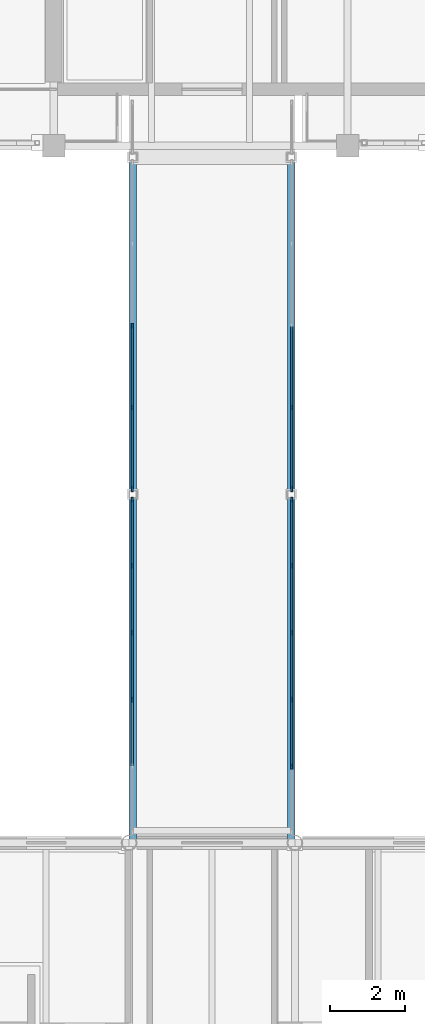
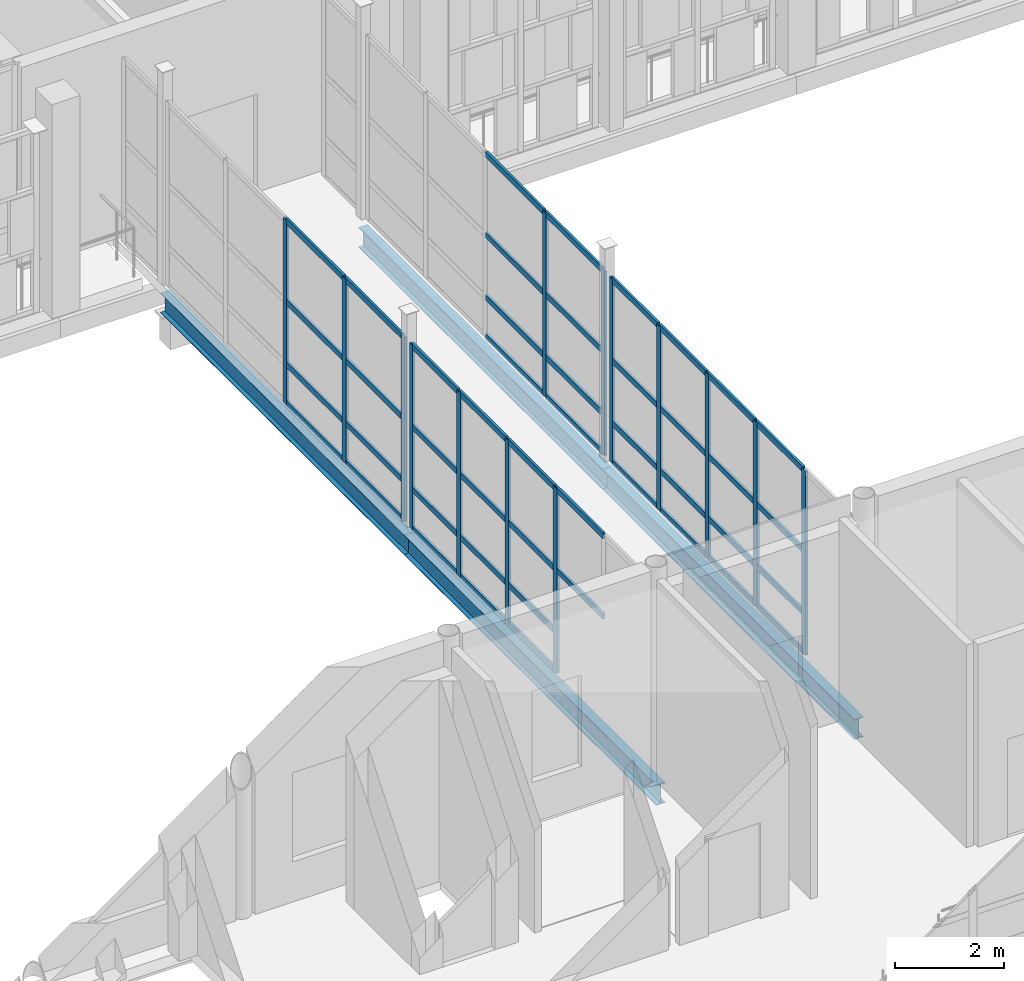
# One storey, part 49 of 138: 60 members, 4 beams, 4 elements without a shape of their own.
"""IFC4 building model written with IfcOpenShell, lengths in metres."""

from ifc_helpers import new_model, si_unit, direction, frame, origin, origin_2d, place, context, subcontext, project, spatial, rectangle, i_section, extrude, material, layer, layer_set, material_profile, profile_set, type_object, element, aggregate, save


model = new_model("IFC4")

# Units and contexts
model_context = context("Model", 3, precision=1e-05, world=origin(), true_north=direction((0.0, 1.0)))
body_context = subcontext(model_context, "Body", "Model", "MODEL_VIEW")
ifc_project = project(units=[si_unit("LENGTHUNIT", "METRE"), si_unit("AREAUNIT", "SQUARE_METRE"), si_unit("VOLUMEUNIT", "CUBIC_METRE"), si_unit("PLANEANGLEUNIT", "RADIAN"), si_unit("MASSUNIT", "GRAM", prefix="KILO")], contexts=[model_context])

# Site, building, storey
site_placement = place(None, origin())
site = spatial("IfcSite", under=ifc_project, at=site_placement, CompositionType="ELEMENT")
building_placement = place(site_placement, origin())
building = spatial("IfcBuilding", under=site, at=building_placement, Name="Celorna Specialist Clinic", CompositionType="ELEMENT")
storey_placement = place(building_placement, frame((0.0, 0.0, 4.800048828125)))
storey = spatial("IfcBuildingStorey", under=building, at=storey_placement, Name="L01", CompositionType="ELEMENT", Elevation=4.800048828125)

# Beams
ifc_material_1 = material(Name="Steel S355", Category="steel")
ifc_material_profile_1 = material_profile(ifc_material_1, i_section(OverallWidth=0.18994140625, OverallDepth=0.449951171875, WebThickness=0.009521484375, FlangeThickness=0.0146484375, at=origin_2d()), Name="IPE 450")
ifc_profile_set_1 = profile_set([ifc_material_profile_1], Name="Steel S355")
beam_type = type_object("IfcBeamType", Name="BM-09", PredefinedType="BEAM", material=ifc_profile_set_1)
beam_1_placement = place(storey_placement, frame((72.300048828125, 78.0, -0.445068359375), z_axis=(0.0, 1.0, 0.0), x_axis=(-1.0, 0.0, 0.0)))
element("IfcBeam", 1, at=beam_1_placement, inside=storey, type_object=beam_type, Name="Bridge BR-04 edge girder BM-09 #98", PredefinedType="BEAM", context=body_context, shape_type="SweptSolid", body=[
    extrude(i_section(OverallWidth=0.18994140625, OverallDepth=0.449951171875, WebThickness=0.009521484375, FlangeThickness=0.0146484375, at=origin_2d()), origin(), (0.0, 0.0, 1.0), 9.25),
])
beam_2_placement = place(storey_placement, frame((72.300048828125, 87.25, -0.445068359375), z_axis=(0.0, 1.0, 0.0), x_axis=(-1.0, 0.0, 0.0)))
element("IfcBeam", 2, at=beam_2_placement, inside=storey, type_object=beam_type, Name="Bridge BR-04 edge girder BM-09 #99", PredefinedType="BEAM", context=body_context, shape_type="SweptSolid", body=[
    extrude(i_section(OverallWidth=0.18994140625, OverallDepth=0.449951171875, WebThickness=0.009521484375, FlangeThickness=0.0146484375, at=origin_2d()), origin(), (0.0, 0.0, 1.0), 8.949951171875),
])
beam_3_placement = place(storey_placement, frame((76.5, 78.0, -0.445068359375), z_axis=(0.0, 1.0, 0.0), x_axis=(-1.0, 0.0, 0.0)))
element("IfcBeam", 3, at=beam_3_placement, inside=storey, type_object=beam_type, Name="Bridge BR-04 edge girder BM-09 #100", PredefinedType="BEAM", context=body_context, shape_type="SweptSolid", body=[
    extrude(i_section(OverallWidth=0.18994140625, OverallDepth=0.449951171875, WebThickness=0.009521484375, FlangeThickness=0.0146484375, at=origin_2d()), origin(), (0.0, 0.0, 1.0), 9.25),
])
beam_4_placement = place(storey_placement, frame((76.5, 87.25, -0.445068359375), z_axis=(0.0, 1.0, 0.0), x_axis=(-1.0, 0.0, 0.0)))
element("IfcBeam", 4, at=beam_4_placement, inside=storey, type_object=beam_type, Name="Bridge BR-04 edge girder BM-09 #101", PredefinedType="BEAM", context=body_context, shape_type="SweptSolid", body=[
    extrude(i_section(OverallWidth=0.18994140625, OverallDepth=0.449951171875, WebThickness=0.009521484375, FlangeThickness=0.0146484375, at=origin_2d()), origin(), (0.0, 0.0, 1.0), 8.949951171875),
])

# Curtain wall, members
ifc_material_2 = material(Name="Thermally broken aluminium and solar-control glass curtain wall", Category="aluminium")
ifc_layer_1 = layer(ifc_material_2, 0.159912109375, Name="Thermally broken aluminium and solar-control glass curtain wall")
ifc_layer_set_1 = layer_set([ifc_layer_1], Name="Thermally broken aluminium and solar-control glass curtain wall")
curtain_wall_type_1 = type_object("IfcCurtainWallType", Name="CW-113", PredefinedType="NOTDEFINED", material=ifc_layer_set_1)
curtain_wall_1_placement = place(storey_placement, origin())
curtain_wall_1 = element("IfcCurtainWall", 5, at=curtain_wall_1_placement, inside=storey, type_object=curtain_wall_type_1, Name="Curtain wall CW-113 #210", PredefinedType="NOTDEFINED")
ifc_material_3 = material(Name="Anodized aluminium mullion", Category="aluminium")
ifc_material_profile_2 = material_profile(ifc_material_3, rectangle(XDim=0.050048828125, YDim=0.139892578125, at=origin_2d()), Name="ALU MULLION 50x140")
ifc_profile_set_2 = profile_set([ifc_material_profile_2], Name="Anodized aluminium mullion")
member_type_1 = type_object("IfcMemberType", Name="ML-03", PredefinedType="MULLION", material=ifc_profile_set_2)
member_1_placement = place(storey_placement, frame((72.280029296875, 81.802001953125, 0.0), z_axis=(0.0, 0.0, 1.0), x_axis=(-1.0, 0.0, 0.0)))
member_1 = element("IfcMember", 6, at=member_1_placement, type_object=member_type_1, Name="CW-113 mullion 3", PredefinedType="MULLION", context=body_context, shape_type="SweptSolid", body=[
    extrude(rectangle(XDim=0.050048828125, YDim=0.139892578125, at=origin_2d()), origin(), (0.0, 0.0, 1.0), 4.1298828125),
])
member_2_placement = place(storey_placement, frame((72.280029296875, 83.577880859375, 0.0), z_axis=(0.0, 0.0, 1.0), x_axis=(-1.0, 0.0, 0.0)))
member_2 = element("IfcMember", 7, at=member_2_placement, type_object=member_type_1, Name="CW-113 mullion 4", PredefinedType="MULLION", context=body_context, shape_type="SweptSolid", body=[
    extrude(rectangle(XDim=0.050048828125, YDim=0.139892578125, at=origin_2d()), origin(), (0.0, 0.0, 1.0), 4.1298828125),
])
member_3_placement = place(storey_placement, frame((72.280029296875, 85.35400390625, 0.0), z_axis=(0.0, 0.0, 1.0), x_axis=(-1.0, 0.0, 0.0)))
member_3 = element("IfcMember", 8, at=member_3_placement, type_object=member_type_1, Name="CW-113 mullion 5", PredefinedType="MULLION", context=body_context, shape_type="SweptSolid", body=[
    extrude(rectangle(XDim=0.050048828125, YDim=0.139892578125, at=origin_2d()), origin(), (0.0, 0.0, 1.0), 4.1298828125),
])
member_4_placement = place(storey_placement, frame((72.280029296875, 87.10498046875, 0.0), z_axis=(0.0, 0.0, 1.0), x_axis=(-1.0, 0.0, 0.0)))
member_4 = element("IfcMember", 9, at=member_4_placement, type_object=member_type_1, Name="CW-113 mullion 6", PredefinedType="MULLION", context=body_context, shape_type="SweptSolid", body=[
    extrude(rectangle(XDim=0.050048828125, YDim=0.139892578125, at=origin_2d()), origin(), (0.0, 0.0, 1.0), 4.1298828125),
])

ifc_layer_2 = layer(ifc_material_2, 0.159912109375, Name="Thermally broken aluminium and solar-control glass curtain wall")
ifc_layer_set_2 = layer_set([ifc_layer_2], Name="Thermally broken aluminium and solar-control glass curtain wall")
curtain_wall_type_2 = type_object("IfcCurtainWallType", Name="CW-114", PredefinedType="NOTDEFINED", material=ifc_layer_set_2)
curtain_wall_2_placement = place(storey_placement, origin())
curtain_wall_2 = element("IfcCurtainWall", 10, at=curtain_wall_2_placement, inside=storey, type_object=curtain_wall_type_2, Name="Curtain wall CW-114 #211", PredefinedType="NOTDEFINED")
member_5_placement = place(storey_placement, frame((72.280029296875, 87.39501953125, 0.0), z_axis=(0.0, 0.0, 1.0), x_axis=(-1.0, 0.0, 0.0)))
member_5 = element("IfcMember", 11, at=member_5_placement, type_object=member_type_1, Name="CW-114 mullion 1", PredefinedType="MULLION", context=body_context, shape_type="SweptSolid", body=[
    extrude(rectangle(XDim=0.050048828125, YDim=0.139892578125, at=origin_2d()), origin(), (0.0, 0.0, 1.0), 4.1298828125),
])
member_6_placement = place(storey_placement, frame((72.280029296875, 89.547607421875, 0.0), z_axis=(0.0, 0.0, 1.0), x_axis=(-1.0, 0.0, 0.0)))
member_6 = element("IfcMember", 12, at=member_6_placement, type_object=member_type_1, Name="CW-114 mullion 2", PredefinedType="MULLION", context=body_context, shape_type="SweptSolid", body=[
    extrude(rectangle(XDim=0.050048828125, YDim=0.139892578125, at=origin_2d()), origin(), (0.0, 0.0, 1.0), 4.1298828125),
])
member_7_placement = place(storey_placement, frame((72.280029296875, 91.72509765625, 0.0), z_axis=(0.0, 0.0, 1.0), x_axis=(-1.0, 0.0, 0.0)))
member_7 = element("IfcMember", 13, at=member_7_placement, type_object=member_type_1, Name="CW-114 mullion 3", PredefinedType="MULLION", context=body_context, shape_type="SweptSolid", body=[
    extrude(rectangle(XDim=0.050048828125, YDim=0.139892578125, at=origin_2d()), origin(), (0.0, 0.0, 1.0), 4.1298828125),
])

curtain_wall_3_placement = place(storey_placement, origin())
curtain_wall_3 = element("IfcCurtainWall", 14, at=curtain_wall_3_placement, inside=storey, type_object=curtain_wall_type_2, Name="Curtain wall CW-114 #214", PredefinedType="NOTDEFINED")
member_8_placement = place(storey_placement, frame((76.52001953125, 89.547607421875, 0.0), z_axis=(0.0, 0.0, 1.0), x_axis=(1.0, 0.0, 0.0)))
member_8 = element("IfcMember", 15, at=member_8_placement, type_object=member_type_1, Name="CW-114 mullion 4", PredefinedType="MULLION", context=body_context, shape_type="SweptSolid", body=[
    extrude(rectangle(XDim=0.050048828125, YDim=0.139892578125, at=origin_2d()), origin(), (0.0, 0.0, 1.0), 4.1298828125),
])
member_9_placement = place(storey_placement, frame((76.52001953125, 87.39501953125, 0.0), z_axis=(0.0, 0.0, 1.0), x_axis=(1.0, 0.0, 0.0)))
member_9 = element("IfcMember", 16, at=member_9_placement, type_object=member_type_1, Name="CW-114 mullion 5", PredefinedType="MULLION", context=body_context, shape_type="SweptSolid", body=[
    extrude(rectangle(XDim=0.050048828125, YDim=0.139892578125, at=origin_2d()), origin(), (0.0, 0.0, 1.0), 4.1298828125),
])

curtain_wall_4_placement = place(storey_placement, origin())
curtain_wall_4 = element("IfcCurtainWall", 17, at=curtain_wall_4_placement, inside=storey, type_object=curtain_wall_type_1, Name="Curtain wall CW-113 #215", PredefinedType="NOTDEFINED")
member_10_placement = place(storey_placement, frame((76.52001953125, 87.10498046875, 0.0), z_axis=(0.0, 0.0, 1.0), x_axis=(1.0, 0.0, 0.0)))
member_10 = element("IfcMember", 18, at=member_10_placement, type_object=member_type_1, Name="CW-113 mullion 1", PredefinedType="MULLION", context=body_context, shape_type="SweptSolid", body=[
    extrude(rectangle(XDim=0.050048828125, YDim=0.139892578125, at=origin_2d()), origin(), (0.0, 0.0, 1.0), 4.1298828125),
])
member_11_placement = place(storey_placement, frame((76.52001953125, 85.35400390625, 0.0), z_axis=(0.0, 0.0, 1.0), x_axis=(1.0, 0.0, 0.0)))
member_11 = element("IfcMember", 19, at=member_11_placement, type_object=member_type_1, Name="CW-113 mullion 2", PredefinedType="MULLION", context=body_context, shape_type="SweptSolid", body=[
    extrude(rectangle(XDim=0.050048828125, YDim=0.139892578125, at=origin_2d()), origin(), (0.0, 0.0, 1.0), 4.1298828125),
])
member_12_placement = place(storey_placement, frame((76.52001953125, 83.577880859375, 0.0), z_axis=(0.0, 0.0, 1.0), x_axis=(1.0, 0.0, 0.0)))
member_12 = element("IfcMember", 20, at=member_12_placement, type_object=member_type_1, Name="CW-113 mullion 3", PredefinedType="MULLION", context=body_context, shape_type="SweptSolid", body=[
    extrude(rectangle(XDim=0.050048828125, YDim=0.139892578125, at=origin_2d()), origin(), (0.0, 0.0, 1.0), 4.1298828125),
])
member_13_placement = place(storey_placement, frame((76.52001953125, 81.802001953125, 0.0), z_axis=(0.0, 0.0, 1.0), x_axis=(1.0, 0.0, 0.0)))
member_13 = element("IfcMember", 21, at=member_13_placement, type_object=member_type_1, Name="CW-113 mullion 4", PredefinedType="MULLION", context=body_context, shape_type="SweptSolid", body=[
    extrude(rectangle(XDim=0.050048828125, YDim=0.139892578125, at=origin_2d()), origin(), (0.0, 0.0, 1.0), 4.1298828125),
])
member_14_placement = place(storey_placement, frame((76.52001953125, 80.02587890625, 0.0), z_axis=(0.0, 0.0, 1.0), x_axis=(1.0, 0.0, 0.0)))
member_14 = element("IfcMember", 22, at=member_14_placement, type_object=member_type_1, Name="CW-113 mullion 5", PredefinedType="MULLION", context=body_context, shape_type="SweptSolid", body=[
    extrude(rectangle(XDim=0.050048828125, YDim=0.139892578125, at=origin_2d()), origin(), (0.0, 0.0, 1.0), 4.1298828125),
])

# Member
ifc_material_4 = material(Name="Anodized aluminium transom", Category="aluminium")
ifc_material_profile_3 = material_profile(ifc_material_4, rectangle(XDim=0.050048828125, YDim=0.1298828125, at=origin_2d()), Name="ALU TRANSOM 50x130")
ifc_profile_set_3 = profile_set([ifc_material_profile_3], Name="Anodized aluminium transom")
member_type_2 = type_object("IfcMemberType", Name="TR-01", PredefinedType="USERDEFINED", material=ifc_profile_set_3)
member_15_placement = place(storey_placement, frame((72.280029296875, 80.051025390625, 2.300048828125), z_axis=(0.0, 1.0, 0.0), x_axis=(-1.0, 0.0, 0.0)))
member_15 = element("IfcMember", 23, at=member_15_placement, type_object=member_type_2, Name="CW-113 transom 2.3", ObjectType="TRANSOM", PredefinedType="USERDEFINED", context=body_context, shape_type="SweptSolid", body=[
    extrude(rectangle(XDim=0.050048828125, YDim=0.1298828125, at=origin_2d()), origin(), (0.0, 0.0, 1.0), 1.72607421875),
])

member_16_placement = place(storey_placement, frame((72.280029296875, 80.051025390625, 4.10498046875), z_axis=(0.0, 1.0, 0.0), x_axis=(-1.0, 0.0, 0.0)))
member_16 = element("IfcMember", 24, at=member_16_placement, type_object=member_type_2, Name="CW-113 transom 2.4", ObjectType="TRANSOM", PredefinedType="USERDEFINED", context=body_context, shape_type="SweptSolid", body=[
    extrude(rectangle(XDim=0.050048828125, YDim=0.1298828125, at=origin_2d()), origin(), (0.0, 0.0, 1.0), 1.72607421875),
])

member_17_placement = place(storey_placement, frame((72.280029296875, 81.826904296875, 0.02490234375), z_axis=(0.0, 1.0, 0.0), x_axis=(-1.0, 0.0, 0.0)))
member_17 = element("IfcMember", 25, at=member_17_placement, type_object=member_type_2, Name="CW-113 transom 3.1", ObjectType="TRANSOM", PredefinedType="USERDEFINED", context=body_context, shape_type="SweptSolid", body=[
    extrude(rectangle(XDim=0.050048828125, YDim=0.1298828125, at=origin_2d()), origin(), (0.0, 0.0, 1.0), 1.72607421875),
])

member_18_placement = place(storey_placement, frame((72.280029296875, 81.826904296875, 0.89990234375), z_axis=(0.0, 1.0, 0.0), x_axis=(-1.0, 0.0, 0.0)))
member_18 = element("IfcMember", 26, at=member_18_placement, type_object=member_type_2, Name="CW-113 transom 3.2", ObjectType="TRANSOM", PredefinedType="USERDEFINED", context=body_context, shape_type="SweptSolid", body=[
    extrude(rectangle(XDim=0.050048828125, YDim=0.1298828125, at=origin_2d()), origin(), (0.0, 0.0, 1.0), 1.72607421875),
])

member_19_placement = place(storey_placement, frame((72.280029296875, 81.826904296875, 2.300048828125), z_axis=(0.0, 1.0, 0.0), x_axis=(-1.0, 0.0, 0.0)))
member_19 = element("IfcMember", 27, at=member_19_placement, type_object=member_type_2, Name="CW-113 transom 3.3", ObjectType="TRANSOM", PredefinedType="USERDEFINED", context=body_context, shape_type="SweptSolid", body=[
    extrude(rectangle(XDim=0.050048828125, YDim=0.1298828125, at=origin_2d()), origin(), (0.0, 0.0, 1.0), 1.72607421875),
])

member_20_placement = place(storey_placement, frame((72.280029296875, 81.826904296875, 4.10498046875), z_axis=(0.0, 1.0, 0.0), x_axis=(-1.0, 0.0, 0.0)))
member_20 = element("IfcMember", 28, at=member_20_placement, type_object=member_type_2, Name="CW-113 transom 3.4", ObjectType="TRANSOM", PredefinedType="USERDEFINED", context=body_context, shape_type="SweptSolid", body=[
    extrude(rectangle(XDim=0.050048828125, YDim=0.1298828125, at=origin_2d()), origin(), (0.0, 0.0, 1.0), 1.72607421875),
])

member_21_placement = place(storey_placement, frame((72.280029296875, 83.60302734375, 0.02490234375), z_axis=(0.0, 1.0, 0.0), x_axis=(-1.0, 0.0, 0.0)))
member_21 = element("IfcMember", 29, at=member_21_placement, type_object=member_type_2, Name="CW-113 transom 4.1", ObjectType="TRANSOM", PredefinedType="USERDEFINED", context=body_context, shape_type="SweptSolid", body=[
    extrude(rectangle(XDim=0.050048828125, YDim=0.1298828125, at=origin_2d()), origin(), (0.0, 0.0, 1.0), 1.72607421875),
])

member_22_placement = place(storey_placement, frame((72.280029296875, 83.60302734375, 0.89990234375), z_axis=(0.0, 1.0, 0.0), x_axis=(-1.0, 0.0, 0.0)))
member_22 = element("IfcMember", 30, at=member_22_placement, type_object=member_type_2, Name="CW-113 transom 4.2", ObjectType="TRANSOM", PredefinedType="USERDEFINED", context=body_context, shape_type="SweptSolid", body=[
    extrude(rectangle(XDim=0.050048828125, YDim=0.1298828125, at=origin_2d()), origin(), (0.0, 0.0, 1.0), 1.72607421875),
])

member_23_placement = place(storey_placement, frame((72.280029296875, 83.60302734375, 2.300048828125), z_axis=(0.0, 1.0, 0.0), x_axis=(-1.0, 0.0, 0.0)))
member_23 = element("IfcMember", 31, at=member_23_placement, type_object=member_type_2, Name="CW-113 transom 4.3", ObjectType="TRANSOM", PredefinedType="USERDEFINED", context=body_context, shape_type="SweptSolid", body=[
    extrude(rectangle(XDim=0.050048828125, YDim=0.1298828125, at=origin_2d()), origin(), (0.0, 0.0, 1.0), 1.72607421875),
])

member_24_placement = place(storey_placement, frame((72.280029296875, 83.60302734375, 4.10498046875), z_axis=(0.0, 1.0, 0.0), x_axis=(-1.0, 0.0, 0.0)))
member_24 = element("IfcMember", 32, at=member_24_placement, type_object=member_type_2, Name="CW-113 transom 4.4", ObjectType="TRANSOM", PredefinedType="USERDEFINED", context=body_context, shape_type="SweptSolid", body=[
    extrude(rectangle(XDim=0.050048828125, YDim=0.1298828125, at=origin_2d()), origin(), (0.0, 0.0, 1.0), 1.72607421875),
])

member_25_placement = place(storey_placement, frame((72.280029296875, 85.37890625, 0.02490234375), z_axis=(0.0, 1.0, 0.0), x_axis=(-1.0, 0.0, 0.0)))
member_25 = element("IfcMember", 33, at=member_25_placement, type_object=member_type_2, Name="CW-113 transom 5.1", ObjectType="TRANSOM", PredefinedType="USERDEFINED", context=body_context, shape_type="SweptSolid", body=[
    extrude(rectangle(XDim=0.050048828125, YDim=0.1298828125, at=origin_2d()), origin(), (0.0, 0.0, 1.0), 1.701171875),
])

member_26_placement = place(storey_placement, frame((72.280029296875, 85.37890625, 0.89990234375), z_axis=(0.0, 1.0, 0.0), x_axis=(-1.0, 0.0, 0.0)))
member_26 = element("IfcMember", 34, at=member_26_placement, type_object=member_type_2, Name="CW-113 transom 5.2", ObjectType="TRANSOM", PredefinedType="USERDEFINED", context=body_context, shape_type="SweptSolid", body=[
    extrude(rectangle(XDim=0.050048828125, YDim=0.1298828125, at=origin_2d()), origin(), (0.0, 0.0, 1.0), 1.701171875),
])

member_27_placement = place(storey_placement, frame((72.280029296875, 85.37890625, 2.300048828125), z_axis=(0.0, 1.0, 0.0), x_axis=(-1.0, 0.0, 0.0)))
member_27 = element("IfcMember", 35, at=member_27_placement, type_object=member_type_2, Name="CW-113 transom 5.3", ObjectType="TRANSOM", PredefinedType="USERDEFINED", context=body_context, shape_type="SweptSolid", body=[
    extrude(rectangle(XDim=0.050048828125, YDim=0.1298828125, at=origin_2d()), origin(), (0.0, 0.0, 1.0), 1.701171875),
])

member_28_placement = place(storey_placement, frame((72.280029296875, 85.37890625, 4.10498046875), z_axis=(0.0, 1.0, 0.0), x_axis=(-1.0, 0.0, 0.0)))
member_28 = element("IfcMember", 36, at=member_28_placement, type_object=member_type_2, Name="CW-113 transom 5.4", ObjectType="TRANSOM", PredefinedType="USERDEFINED", context=body_context, shape_type="SweptSolid", body=[
    extrude(rectangle(XDim=0.050048828125, YDim=0.1298828125, at=origin_2d()), origin(), (0.0, 0.0, 1.0), 1.701171875),
])

aggregate(curtain_wall_1, [member_1, member_2, member_3, member_4, member_15, member_16, member_17, member_18, member_19, member_20, member_21, member_22, member_23, member_24, member_25, member_26, member_27, member_28])

member_29_placement = place(storey_placement, frame((72.280029296875, 87.419921875, 0.02490234375), z_axis=(0.0, 1.0, 0.0), x_axis=(-1.0, 0.0, 0.0)))
member_29 = element("IfcMember", 37, at=member_29_placement, type_object=member_type_2, Name="CW-114 transom 1.1", ObjectType="TRANSOM", PredefinedType="USERDEFINED", context=body_context, shape_type="SweptSolid", body=[
    extrude(rectangle(XDim=0.050048828125, YDim=0.1298828125, at=origin_2d()), origin(), (0.0, 0.0, 1.0), 2.1025390625),
])

member_30_placement = place(storey_placement, frame((72.280029296875, 87.419921875, 0.89990234375), z_axis=(0.0, 1.0, 0.0), x_axis=(-1.0, 0.0, 0.0)))
member_30 = element("IfcMember", 38, at=member_30_placement, type_object=member_type_2, Name="CW-114 transom 1.2", ObjectType="TRANSOM", PredefinedType="USERDEFINED", context=body_context, shape_type="SweptSolid", body=[
    extrude(rectangle(XDim=0.050048828125, YDim=0.1298828125, at=origin_2d()), origin(), (0.0, 0.0, 1.0), 2.1025390625),
])

member_31_placement = place(storey_placement, frame((72.280029296875, 87.419921875, 2.300048828125), z_axis=(0.0, 1.0, 0.0), x_axis=(-1.0, 0.0, 0.0)))
member_31 = element("IfcMember", 39, at=member_31_placement, type_object=member_type_2, Name="CW-114 transom 1.3", ObjectType="TRANSOM", PredefinedType="USERDEFINED", context=body_context, shape_type="SweptSolid", body=[
    extrude(rectangle(XDim=0.050048828125, YDim=0.1298828125, at=origin_2d()), origin(), (0.0, 0.0, 1.0), 2.1025390625),
])

member_32_placement = place(storey_placement, frame((72.280029296875, 87.419921875, 4.10498046875), z_axis=(0.0, 1.0, 0.0), x_axis=(-1.0, 0.0, 0.0)))
member_32 = element("IfcMember", 40, at=member_32_placement, type_object=member_type_2, Name="CW-114 transom 1.4", ObjectType="TRANSOM", PredefinedType="USERDEFINED", context=body_context, shape_type="SweptSolid", body=[
    extrude(rectangle(XDim=0.050048828125, YDim=0.1298828125, at=origin_2d()), origin(), (0.0, 0.0, 1.0), 2.1025390625),
])

member_33_placement = place(storey_placement, frame((72.280029296875, 89.572509765625, 0.02490234375), z_axis=(0.0, 1.0, 0.0), x_axis=(-1.0, 0.0, 0.0)))
member_33 = element("IfcMember", 41, at=member_33_placement, type_object=member_type_2, Name="CW-114 transom 2.1", ObjectType="TRANSOM", PredefinedType="USERDEFINED", context=body_context, shape_type="SweptSolid", body=[
    extrude(rectangle(XDim=0.050048828125, YDim=0.1298828125, at=origin_2d()), origin(), (0.0, 0.0, 1.0), 2.12744140625),
])

member_34_placement = place(storey_placement, frame((72.280029296875, 89.572509765625, 0.89990234375), z_axis=(0.0, 1.0, 0.0), x_axis=(-1.0, 0.0, 0.0)))
member_34 = element("IfcMember", 42, at=member_34_placement, type_object=member_type_2, Name="CW-114 transom 2.2", ObjectType="TRANSOM", PredefinedType="USERDEFINED", context=body_context, shape_type="SweptSolid", body=[
    extrude(rectangle(XDim=0.050048828125, YDim=0.1298828125, at=origin_2d()), origin(), (0.0, 0.0, 1.0), 2.12744140625),
])

member_35_placement = place(storey_placement, frame((72.280029296875, 89.572509765625, 2.300048828125), z_axis=(0.0, 1.0, 0.0), x_axis=(-1.0, 0.0, 0.0)))
member_35 = element("IfcMember", 43, at=member_35_placement, type_object=member_type_2, Name="CW-114 transom 2.3", ObjectType="TRANSOM", PredefinedType="USERDEFINED", context=body_context, shape_type="SweptSolid", body=[
    extrude(rectangle(XDim=0.050048828125, YDim=0.1298828125, at=origin_2d()), origin(), (0.0, 0.0, 1.0), 2.12744140625),
])

member_36_placement = place(storey_placement, frame((72.280029296875, 89.572509765625, 4.10498046875), z_axis=(0.0, 1.0, 0.0), x_axis=(-1.0, 0.0, 0.0)))
member_36 = element("IfcMember", 44, at=member_36_placement, type_object=member_type_2, Name="CW-114 transom 2.4", ObjectType="TRANSOM", PredefinedType="USERDEFINED", context=body_context, shape_type="SweptSolid", body=[
    extrude(rectangle(XDim=0.050048828125, YDim=0.1298828125, at=origin_2d()), origin(), (0.0, 0.0, 1.0), 2.12744140625),
])

aggregate(curtain_wall_2, [member_5, member_6, member_7, member_29, member_30, member_31, member_32, member_33, member_34, member_35, member_36])

member_37_placement = place(storey_placement, frame((76.52001953125, 91.699951171875, 0.02490234375), z_axis=(0.0, -1.0, 0.0), x_axis=(1.0, 0.0, 0.0)))
member_37 = element("IfcMember", 45, at=member_37_placement, type_object=member_type_2, Name="CW-114 transom 3.1", ObjectType="TRANSOM", PredefinedType="USERDEFINED", context=body_context, shape_type="SweptSolid", body=[
    extrude(rectangle(XDim=0.050048828125, YDim=0.1298828125, at=origin_2d()), origin(), (0.0, 0.0, 1.0), 2.12744140625),
])

member_38_placement = place(storey_placement, frame((76.52001953125, 91.699951171875, 0.89990234375), z_axis=(0.0, -1.0, 0.0), x_axis=(1.0, 0.0, 0.0)))
member_38 = element("IfcMember", 46, at=member_38_placement, type_object=member_type_2, Name="CW-114 transom 3.2", ObjectType="TRANSOM", PredefinedType="USERDEFINED", context=body_context, shape_type="SweptSolid", body=[
    extrude(rectangle(XDim=0.050048828125, YDim=0.1298828125, at=origin_2d()), origin(), (0.0, 0.0, 1.0), 2.12744140625),
])

member_39_placement = place(storey_placement, frame((76.52001953125, 91.699951171875, 2.300048828125), z_axis=(0.0, -1.0, 0.0), x_axis=(1.0, 0.0, 0.0)))
member_39 = element("IfcMember", 47, at=member_39_placement, type_object=member_type_2, Name="CW-114 transom 3.3", ObjectType="TRANSOM", PredefinedType="USERDEFINED", context=body_context, shape_type="SweptSolid", body=[
    extrude(rectangle(XDim=0.050048828125, YDim=0.1298828125, at=origin_2d()), origin(), (0.0, 0.0, 1.0), 2.12744140625),
])

member_40_placement = place(storey_placement, frame((76.52001953125, 91.699951171875, 4.10498046875), z_axis=(0.0, -1.0, 0.0), x_axis=(1.0, 0.0, 0.0)))
member_40 = element("IfcMember", 48, at=member_40_placement, type_object=member_type_2, Name="CW-114 transom 3.4", ObjectType="TRANSOM", PredefinedType="USERDEFINED", context=body_context, shape_type="SweptSolid", body=[
    extrude(rectangle(XDim=0.050048828125, YDim=0.1298828125, at=origin_2d()), origin(), (0.0, 0.0, 1.0), 2.12744140625),
])

member_41_placement = place(storey_placement, frame((76.52001953125, 89.5224609375, 0.02490234375), z_axis=(0.0, -1.0, 0.0), x_axis=(1.0, 0.0, 0.0)))
member_41 = element("IfcMember", 49, at=member_41_placement, type_object=member_type_2, Name="CW-114 transom 4.1", ObjectType="TRANSOM", PredefinedType="USERDEFINED", context=body_context, shape_type="SweptSolid", body=[
    extrude(rectangle(XDim=0.050048828125, YDim=0.1298828125, at=origin_2d()), origin(), (0.0, 0.0, 1.0), 2.1025390625),
])

member_42_placement = place(storey_placement, frame((76.52001953125, 89.5224609375, 0.89990234375), z_axis=(0.0, -1.0, 0.0), x_axis=(1.0, 0.0, 0.0)))
member_42 = element("IfcMember", 50, at=member_42_placement, type_object=member_type_2, Name="CW-114 transom 4.2", ObjectType="TRANSOM", PredefinedType="USERDEFINED", context=body_context, shape_type="SweptSolid", body=[
    extrude(rectangle(XDim=0.050048828125, YDim=0.1298828125, at=origin_2d()), origin(), (0.0, 0.0, 1.0), 2.1025390625),
])

member_43_placement = place(storey_placement, frame((76.52001953125, 89.5224609375, 2.300048828125), z_axis=(0.0, -1.0, 0.0), x_axis=(1.0, 0.0, 0.0)))
member_43 = element("IfcMember", 51, at=member_43_placement, type_object=member_type_2, Name="CW-114 transom 4.3", ObjectType="TRANSOM", PredefinedType="USERDEFINED", context=body_context, shape_type="SweptSolid", body=[
    extrude(rectangle(XDim=0.050048828125, YDim=0.1298828125, at=origin_2d()), origin(), (0.0, 0.0, 1.0), 2.1025390625),
])

member_44_placement = place(storey_placement, frame((76.52001953125, 89.5224609375, 4.10498046875), z_axis=(0.0, -1.0, 0.0), x_axis=(1.0, 0.0, 0.0)))
member_44 = element("IfcMember", 52, at=member_44_placement, type_object=member_type_2, Name="CW-114 transom 4.4", ObjectType="TRANSOM", PredefinedType="USERDEFINED", context=body_context, shape_type="SweptSolid", body=[
    extrude(rectangle(XDim=0.050048828125, YDim=0.1298828125, at=origin_2d()), origin(), (0.0, 0.0, 1.0), 2.1025390625),
])

aggregate(curtain_wall_3, [member_8, member_9, member_37, member_38, member_39, member_40, member_41, member_42, member_43, member_44])

member_45_placement = place(storey_placement, frame((76.52001953125, 87.080078125, 0.02490234375), z_axis=(0.0, -1.0, 0.0), x_axis=(1.0, 0.0, 0.0)))
member_45 = element("IfcMember", 53, at=member_45_placement, type_object=member_type_2, Name="CW-113 transom 1.1", ObjectType="TRANSOM", PredefinedType="USERDEFINED", context=body_context, shape_type="SweptSolid", body=[
    extrude(rectangle(XDim=0.050048828125, YDim=0.1298828125, at=origin_2d()), origin(), (0.0, 0.0, 1.0), 1.701171875),
])

member_46_placement = place(storey_placement, frame((76.52001953125, 87.080078125, 0.89990234375), z_axis=(0.0, -1.0, 0.0), x_axis=(1.0, 0.0, 0.0)))
member_46 = element("IfcMember", 54, at=member_46_placement, type_object=member_type_2, Name="CW-113 transom 1.2", ObjectType="TRANSOM", PredefinedType="USERDEFINED", context=body_context, shape_type="SweptSolid", body=[
    extrude(rectangle(XDim=0.050048828125, YDim=0.1298828125, at=origin_2d()), origin(), (0.0, 0.0, 1.0), 1.701171875),
])

member_47_placement = place(storey_placement, frame((76.52001953125, 87.080078125, 2.300048828125), z_axis=(0.0, -1.0, 0.0), x_axis=(1.0, 0.0, 0.0)))
member_47 = element("IfcMember", 55, at=member_47_placement, type_object=member_type_2, Name="CW-113 transom 1.3", ObjectType="TRANSOM", PredefinedType="USERDEFINED", context=body_context, shape_type="SweptSolid", body=[
    extrude(rectangle(XDim=0.050048828125, YDim=0.1298828125, at=origin_2d()), origin(), (0.0, 0.0, 1.0), 1.701171875),
])

member_48_placement = place(storey_placement, frame((76.52001953125, 87.080078125, 4.10498046875), z_axis=(0.0, -1.0, 0.0), x_axis=(1.0, 0.0, 0.0)))
member_48 = element("IfcMember", 56, at=member_48_placement, type_object=member_type_2, Name="CW-113 transom 1.4", ObjectType="TRANSOM", PredefinedType="USERDEFINED", context=body_context, shape_type="SweptSolid", body=[
    extrude(rectangle(XDim=0.050048828125, YDim=0.1298828125, at=origin_2d()), origin(), (0.0, 0.0, 1.0), 1.701171875),
])

member_49_placement = place(storey_placement, frame((76.52001953125, 85.3291015625, 0.02490234375), z_axis=(0.0, -1.0, 0.0), x_axis=(1.0, 0.0, 0.0)))
member_49 = element("IfcMember", 57, at=member_49_placement, type_object=member_type_2, Name="CW-113 transom 2.1", ObjectType="TRANSOM", PredefinedType="USERDEFINED", context=body_context, shape_type="SweptSolid", body=[
    extrude(rectangle(XDim=0.050048828125, YDim=0.1298828125, at=origin_2d()), origin(), (0.0, 0.0, 1.0), 1.72607421875),
])

member_50_placement = place(storey_placement, frame((76.52001953125, 85.3291015625, 0.89990234375), z_axis=(0.0, -1.0, 0.0), x_axis=(1.0, 0.0, 0.0)))
member_50 = element("IfcMember", 58, at=member_50_placement, type_object=member_type_2, Name="CW-113 transom 2.2", ObjectType="TRANSOM", PredefinedType="USERDEFINED", context=body_context, shape_type="SweptSolid", body=[
    extrude(rectangle(XDim=0.050048828125, YDim=0.1298828125, at=origin_2d()), origin(), (0.0, 0.0, 1.0), 1.72607421875),
])

member_51_placement = place(storey_placement, frame((76.52001953125, 85.3291015625, 2.300048828125), z_axis=(0.0, -1.0, 0.0), x_axis=(1.0, 0.0, 0.0)))
member_51 = element("IfcMember", 59, at=member_51_placement, type_object=member_type_2, Name="CW-113 transom 2.3", ObjectType="TRANSOM", PredefinedType="USERDEFINED", context=body_context, shape_type="SweptSolid", body=[
    extrude(rectangle(XDim=0.050048828125, YDim=0.1298828125, at=origin_2d()), origin(), (0.0, 0.0, 1.0), 1.72607421875),
])

member_52_placement = place(storey_placement, frame((76.52001953125, 85.3291015625, 4.10498046875), z_axis=(0.0, -1.0, 0.0), x_axis=(1.0, 0.0, 0.0)))
member_52 = element("IfcMember", 60, at=member_52_placement, type_object=member_type_2, Name="CW-113 transom 2.4", ObjectType="TRANSOM", PredefinedType="USERDEFINED", context=body_context, shape_type="SweptSolid", body=[
    extrude(rectangle(XDim=0.050048828125, YDim=0.1298828125, at=origin_2d()), origin(), (0.0, 0.0, 1.0), 1.72607421875),
])

member_53_placement = place(storey_placement, frame((76.52001953125, 83.552978515625, 0.02490234375), z_axis=(0.0, -1.0, 0.0), x_axis=(1.0, 0.0, 0.0)))
member_53 = element("IfcMember", 61, at=member_53_placement, type_object=member_type_2, Name="CW-113 transom 3.1", ObjectType="TRANSOM", PredefinedType="USERDEFINED", context=body_context, shape_type="SweptSolid", body=[
    extrude(rectangle(XDim=0.050048828125, YDim=0.1298828125, at=origin_2d()), origin(), (0.0, 0.0, 1.0), 1.72607421875),
])

member_54_placement = place(storey_placement, frame((76.52001953125, 83.552978515625, 0.89990234375), z_axis=(0.0, -1.0, 0.0), x_axis=(1.0, 0.0, 0.0)))
member_54 = element("IfcMember", 62, at=member_54_placement, type_object=member_type_2, Name="CW-113 transom 3.2", ObjectType="TRANSOM", PredefinedType="USERDEFINED", context=body_context, shape_type="SweptSolid", body=[
    extrude(rectangle(XDim=0.050048828125, YDim=0.1298828125, at=origin_2d()), origin(), (0.0, 0.0, 1.0), 1.72607421875),
])

member_55_placement = place(storey_placement, frame((76.52001953125, 83.552978515625, 2.300048828125), z_axis=(0.0, -1.0, 0.0), x_axis=(1.0, 0.0, 0.0)))
member_55 = element("IfcMember", 63, at=member_55_placement, type_object=member_type_2, Name="CW-113 transom 3.3", ObjectType="TRANSOM", PredefinedType="USERDEFINED", context=body_context, shape_type="SweptSolid", body=[
    extrude(rectangle(XDim=0.050048828125, YDim=0.1298828125, at=origin_2d()), origin(), (0.0, 0.0, 1.0), 1.72607421875),
])

member_56_placement = place(storey_placement, frame((76.52001953125, 83.552978515625, 4.10498046875), z_axis=(0.0, -1.0, 0.0), x_axis=(1.0, 0.0, 0.0)))
member_56 = element("IfcMember", 64, at=member_56_placement, type_object=member_type_2, Name="CW-113 transom 3.4", ObjectType="TRANSOM", PredefinedType="USERDEFINED", context=body_context, shape_type="SweptSolid", body=[
    extrude(rectangle(XDim=0.050048828125, YDim=0.1298828125, at=origin_2d()), origin(), (0.0, 0.0, 1.0), 1.72607421875),
])

member_57_placement = place(storey_placement, frame((76.52001953125, 81.777099609375, 0.02490234375), z_axis=(0.0, -1.0, 0.0), x_axis=(1.0, 0.0, 0.0)))
member_57 = element("IfcMember", 65, at=member_57_placement, type_object=member_type_2, Name="CW-113 transom 4.1", ObjectType="TRANSOM", PredefinedType="USERDEFINED", context=body_context, shape_type="SweptSolid", body=[
    extrude(rectangle(XDim=0.050048828125, YDim=0.1298828125, at=origin_2d()), origin(), (0.0, 0.0, 1.0), 1.72607421875),
])

member_58_placement = place(storey_placement, frame((76.52001953125, 81.777099609375, 0.89990234375), z_axis=(0.0, -1.0, 0.0), x_axis=(1.0, 0.0, 0.0)))
member_58 = element("IfcMember", 66, at=member_58_placement, type_object=member_type_2, Name="CW-113 transom 4.2", ObjectType="TRANSOM", PredefinedType="USERDEFINED", context=body_context, shape_type="SweptSolid", body=[
    extrude(rectangle(XDim=0.050048828125, YDim=0.1298828125, at=origin_2d()), origin(), (0.0, 0.0, 1.0), 1.72607421875),
])

member_59_placement = place(storey_placement, frame((76.52001953125, 81.777099609375, 2.300048828125), z_axis=(0.0, -1.0, 0.0), x_axis=(1.0, 0.0, 0.0)))
member_59 = element("IfcMember", 67, at=member_59_placement, type_object=member_type_2, Name="CW-113 transom 4.3", ObjectType="TRANSOM", PredefinedType="USERDEFINED", context=body_context, shape_type="SweptSolid", body=[
    extrude(rectangle(XDim=0.050048828125, YDim=0.1298828125, at=origin_2d()), origin(), (0.0, 0.0, 1.0), 1.72607421875),
])

member_60_placement = place(storey_placement, frame((76.52001953125, 81.777099609375, 4.10498046875), z_axis=(0.0, -1.0, 0.0), x_axis=(1.0, 0.0, 0.0)))
member_60 = element("IfcMember", 68, at=member_60_placement, type_object=member_type_2, Name="CW-113 transom 4.4", ObjectType="TRANSOM", PredefinedType="USERDEFINED", context=body_context, shape_type="SweptSolid", body=[
    extrude(rectangle(XDim=0.050048828125, YDim=0.1298828125, at=origin_2d()), origin(), (0.0, 0.0, 1.0), 1.72607421875),
])

aggregate(curtain_wall_4, [member_10, member_11, member_12, member_13, member_14, member_45, member_46, member_47, member_48, member_49, member_50, member_51, member_52, member_53, member_54, member_55, member_56, member_57, member_58, member_59, member_60])

save(model, "model.ifc")
